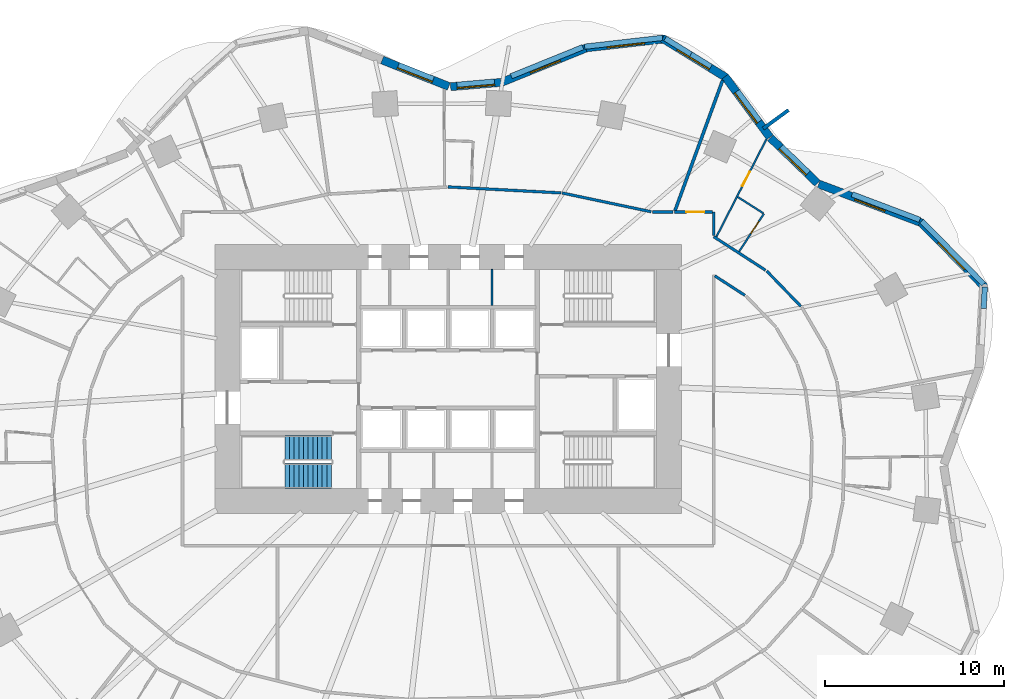
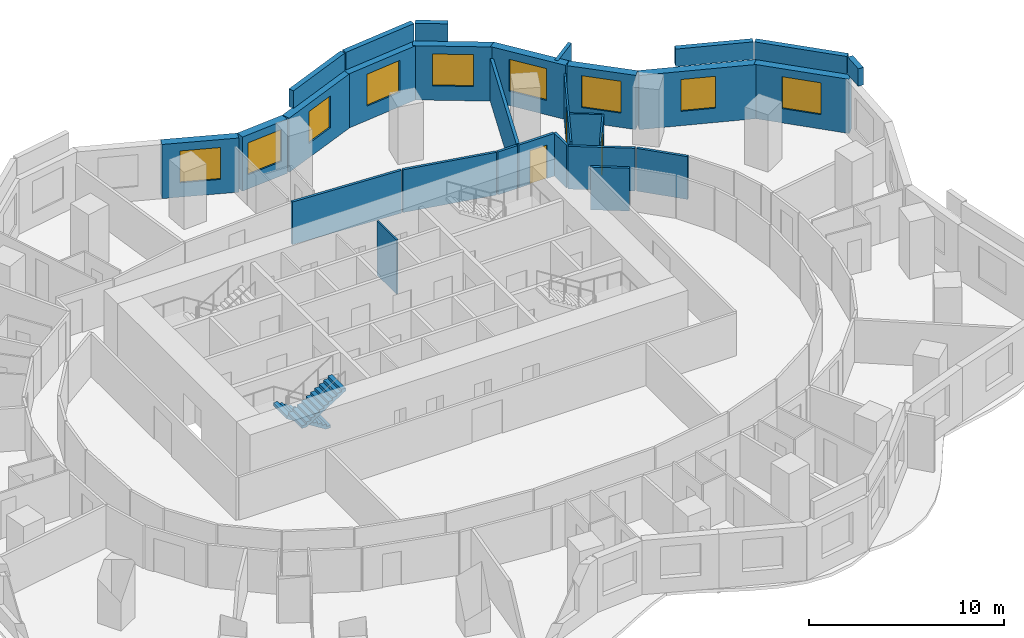
# One storey, part 9 of 11: 29 walls, 9 windows, 3 doors, 2 stair flights, 12 openings, 1 element without a shape of its own.
"""IFC4 building model written with IfcOpenShell, lengths in metres."""

from ifc_helpers import new_model, si_unit, direction, frame, frame_2d, origin, place, context, subcontext, project, spatial, polyline, rectangle, outline, extrude, material, layer, layer_set, type_object, element, fill, aggregate, save


model = new_model("IFC4")

# Units and contexts
model_context = context("Model", 3, precision=1e-05, world=origin(), true_north=direction((0.0, 1.0)))
body_context = subcontext(model_context, "Body", "Model", "MODEL_VIEW")
ifc_project = project(units=[si_unit("LENGTHUNIT", "METRE"), si_unit("AREAUNIT", "SQUARE_METRE"), si_unit("VOLUMEUNIT", "CUBIC_METRE"), si_unit("PLANEANGLEUNIT", "RADIAN"), si_unit("MASSUNIT", "GRAM", prefix="KILO")], contexts=[model_context])

# Site, building, storey
site_placement = place(None, origin())
site = spatial("IfcSite", under=ifc_project, at=site_placement, CompositionType="ELEMENT")
building_placement = place(site_placement, origin())
building = spatial("IfcBuilding", under=site, at=building_placement, Name="Rubra Terraces Tower", CompositionType="ELEMENT")
storey_placement = place(building_placement, frame((0.0, 0.0, 51.89990234375)))
storey = spatial("IfcBuildingStorey", under=building, at=storey_placement, Name="L10", CompositionType="ELEMENT", Elevation=51.89990234375)

# Wall
ifc_material_1 = material(Name="Twin plasterboard on staggered steel stud, acoustic mineral wool", Category="steel")
ifc_layer_1 = layer(ifc_material_1, 0.175048828125)
ifc_layer_set_1 = layer_set([ifc_layer_1], Name="Twin plasterboard on staggered steel stud, acoustic mineral wool")
wall_type_1 = type_object("IfcWallType", Name="ACOUSTIC PARTY WALL 175", PredefinedType="PARTITIONING", material=ifc_layer_set_1)
wall_1_placement = place(storey_placement, frame((15.298583984375, 21.142822265625, 0.0), z_axis=(0.0, 0.0, 1.0), x_axis=(-0.343006226001, -0.939333129898, 0.0)))
element("IfcWall", 1, at=wall_1_placement, inside=storey, type_object=wall_type_1, Name="PARTITION", PredefinedType="PARTITIONING", context=body_context, shape_type="SweptSolid", body=[
    extrude(rectangle(XDim=7.741943359375, YDim=0.175048828125, at=frame_2d((3.87109375, 0.0))), origin(), (0.0, 0.0, 1.0), 2.68017578125),
])

# Wall, opening, window
ifc_material_2 = material(Name="Brick masonry red-brown", Category="masonry")
ifc_layer_2 = layer(ifc_material_2, 0.449951171875)
ifc_layer_set_2 = layer_set([ifc_layer_2], Name="Brick masonry red-brown")
wall_type_2 = type_object("IfcWallType", Name="Brick facade wall 450", PredefinedType="SOLIDWALL", material=ifc_layer_set_2)
wall_2_placement = place(storey_placement, frame((29.909423828125, 9.6123046875, 0.0), z_axis=(0.0, 0.0, 1.0), x_axis=(-0.700902433902, 0.713257161303, 0.0)))
wall_2 = element("IfcWall", 2, at=wall_2_placement, inside=storey, type_object=wall_type_2, Name="Facade wall L10 bay 3", PredefinedType="SOLIDWALL", context=body_context, shape_type="SweptSolid", body=[
    extrude(rectangle(XDim=5.07861328125, YDim=0.449951171875, at=frame_2d((2.539306640625, 0.0))), origin(), (0.0, 0.0, 1.0), 3.400146484375),
])
opening_1_placement = place(wall_2_placement, frame((1.4892578125, 0.0, 0.89990234375)))
opening_1 = element("IfcOpeningElement", 3, at=opening_1_placement, cuts=wall_2, Name="Opening W1", PredefinedType="OPENING", context=body_context, shape_type="SweptSolid", body=[
    extrude(rectangle(XDim=2.10009765625, YDim=2.0, at=frame_2d((1.050048828125, 1.0))), frame((0.0, 0.23486328125, 0.0), z_axis=(0.0, -1.0, 0.0), x_axis=(1.0, 0.0, 0.0)), (0.0, 0.0, 1.0), 0.469970703125),
])
ifc_material_3 = material(Name="Clear glass in aluminium frame", Category="aluminium")
window_type_1 = type_object("IfcWindowType", Name="Fixed deep-set window 2100 x 2000", PartitioningType="SINGLE_PANEL", PredefinedType="WINDOW", material=ifc_material_3)
window_1_placement = place(opening_1_placement, origin())
window_1 = element("IfcWindow", 4, at=window_1_placement, inside=storey, type_object=window_type_1, Name="Window L10 bay 3", OverallHeight=2.0, OverallWidth=2.10009765625, PartitioningType="SINGLE_PANEL", PredefinedType="WINDOW", context=body_context, shape_type="SweptSolid", body=[
    extrude(rectangle(XDim=2.10009765625, YDim=2.0, at=frame_2d((1.050048828125, 1.0))), frame((0.0, 0.135009765625, 0.0), z_axis=(0.0, -1.0, 0.0), x_axis=(1.0, 0.0, 0.0)), (0.0, 0.0, 1.0), 0.06005859375),
])
fill(opening_1, window_1)

wall_3_placement = place(storey_placement, frame((26.430908203125, 13.181884765625, 0.0), z_axis=(0.0, 0.0, 1.0), x_axis=(-0.935540074321, 0.35322056755, 0.0)))
wall_3 = element("IfcWall", 5, at=wall_3_placement, inside=storey, type_object=wall_type_2, Name="Facade wall L10 bay 4", PredefinedType="SOLIDWALL", context=body_context, shape_type="SweptSolid", body=[
    extrude(rectangle(XDim=6.17236328125, YDim=0.449951171875, at=frame_2d((3.086181640625, 0.0))), origin(), (0.0, 0.0, 1.0), 3.400146484375),
])
opening_2_placement = place(wall_3_placement, frame((2.18603515625, 0.0, 0.89990234375)))
opening_2 = element("IfcOpeningElement", 6, at=opening_2_placement, cuts=wall_3, Name="Opening W6", PredefinedType="OPENING", context=body_context, shape_type="SweptSolid", body=[
    extrude(rectangle(XDim=1.800048828125, YDim=2.0, at=frame_2d((0.89990234375, 1.0))), frame((0.0, 0.23486328125, 0.0), z_axis=(0.0, -1.0, 0.0), x_axis=(1.0, 0.0, 0.0)), (0.0, 0.0, 1.0), 0.469970703125),
])
window_type_2 = type_object("IfcWindowType", Name="Fixed deep-set window at wind fin 1800 x 2000", PartitioningType="SINGLE_PANEL", PredefinedType="WINDOW", material=ifc_material_3)
window_2_placement = place(opening_2_placement, origin())
window_2 = element("IfcWindow", 7, at=window_2_placement, inside=storey, type_object=window_type_2, Name="Window L10 bay 4", OverallHeight=2.0, OverallWidth=1.800048828125, PartitioningType="SINGLE_PANEL", PredefinedType="WINDOW", context=body_context, shape_type="SweptSolid", body=[
    extrude(rectangle(XDim=1.800048828125, YDim=2.0, at=frame_2d((0.89990234375, 1.0))), frame((0.0, 0.135009765625, 0.0), z_axis=(0.0, -1.0, 0.0), x_axis=(1.0, 0.0, 0.0)), (0.0, 0.0, 1.0), 0.06005859375),
])
fill(opening_2, window_2)

wall_4_placement = place(storey_placement, frame((20.585205078125, 15.40576171875, 0.0), z_axis=(0.0, 0.0, 1.0), x_axis=(-0.719978118026, 0.693996764808, 0.0)))
wall_4 = element("IfcWall", 8, at=wall_4_placement, inside=storey, type_object=wall_type_2, Name="Facade wall L10 bay 5", PredefinedType="SOLIDWALL", context=body_context, shape_type="SweptSolid", body=[
    extrude(rectangle(XDim=3.64599609375, YDim=0.449951171875, at=frame_2d((1.822998046875, 0.0))), origin(), (0.0, 0.0, 1.0), 3.400146484375),
])
opening_3_placement = place(wall_4_placement, frame((0.77294921875, 0.0, 0.89990234375)))
opening_3 = element("IfcOpeningElement", 9, at=opening_3_placement, cuts=wall_4, Name="Opening W1", PredefinedType="OPENING", context=body_context, shape_type="SweptSolid", body=[
    extrude(rectangle(XDim=2.10009765625, YDim=2.0, at=frame_2d((1.050048828125, 1.0))), frame((0.0, 0.23486328125, 0.0), z_axis=(0.0, -1.0, 0.0), x_axis=(1.0, 0.0, 0.0)), (0.0, 0.0, 1.0), 0.469970703125),
])
window_3_placement = place(opening_3_placement, origin())
window_3 = element("IfcWindow", 10, at=window_3_placement, inside=storey, type_object=window_type_1, Name="Window L10 bay 5", OverallHeight=2.0, OverallWidth=2.10009765625, PartitioningType="SINGLE_PANEL", PredefinedType="WINDOW", context=body_context, shape_type="SweptSolid", body=[
    extrude(rectangle(XDim=2.10009765625, YDim=2.0, at=frame_2d((1.050048828125, 1.0))), frame((0.0, 0.135009765625, 0.0), z_axis=(0.0, -1.0, 0.0), x_axis=(1.0, 0.0, 0.0)), (0.0, 0.0, 1.0), 0.06005859375),
])
fill(opening_3, window_3)

wall_5_placement = place(storey_placement, frame((17.933837890625, 17.964111328125, 0.0), z_axis=(0.0, 0.0, 1.0), x_axis=(-0.594544447368, 0.804062746372, 0.0)))
wall_5 = element("IfcWall", 11, at=wall_5_placement, inside=storey, type_object=wall_type_2, Name="Facade wall L10 bay 6", PredefinedType="SOLIDWALL", context=body_context, shape_type="SweptSolid", body=[
    extrude(rectangle(XDim=4.20654296875, YDim=0.449951171875, at=frame_2d((2.103271484375, 0.0))), origin(), (0.0, 0.0, 1.0), 3.400146484375),
])
opening_4_placement = place(wall_5_placement, frame((1.05322265625, 0.0, 0.89990234375)))
opening_4 = element("IfcOpeningElement", 12, at=opening_4_placement, cuts=wall_5, Name="Opening W1", PredefinedType="OPENING", context=body_context, shape_type="SweptSolid", body=[
    extrude(rectangle(XDim=2.10009765625, YDim=2.0, at=frame_2d((1.050048828125, 1.0))), frame((0.0, 0.23486328125, 0.0), z_axis=(0.0, -1.0, 0.0), x_axis=(1.0, 0.0, 0.0)), (0.0, 0.0, 1.0), 0.469970703125),
])
window_4_placement = place(opening_4_placement, origin())
window_4 = element("IfcWindow", 13, at=window_4_placement, inside=storey, type_object=window_type_1, Name="Window L10 bay 6", OverallHeight=2.0, OverallWidth=2.10009765625, PartitioningType="SINGLE_PANEL", PredefinedType="WINDOW", context=body_context, shape_type="SweptSolid", body=[
    extrude(rectangle(XDim=2.10009765625, YDim=2.0, at=frame_2d((1.050048828125, 1.0))), frame((0.0, 0.135009765625, 0.0), z_axis=(0.0, -1.0, 0.0), x_axis=(1.0, 0.0, 0.0)), (0.0, 0.0, 1.0), 0.06005859375),
])
fill(opening_4, window_4)

wall_6_placement = place(storey_placement, frame((15.491943359375, 21.29345703125, 0.0), z_axis=(0.0, 0.0, 1.0), x_axis=(-0.851428967753, 0.524469935145, 0.0)))
wall_6 = element("IfcWall", 14, at=wall_6_placement, inside=storey, type_object=wall_type_2, Name="Facade wall L10 bay 7", PredefinedType="SOLIDWALL", context=body_context, shape_type="SweptSolid", body=[
    extrude(rectangle(XDim=4.16796875, YDim=0.449951171875, at=frame_2d((2.083984375, 0.0))), origin(), (0.0, 0.0, 1.0), 3.400146484375),
])
opening_5_placement = place(wall_6_placement, frame((1.0341796875, 0.0, 0.89990234375)))
opening_5 = element("IfcOpeningElement", 15, at=opening_5_placement, cuts=wall_6, Name="Opening W1", PredefinedType="OPENING", context=body_context, shape_type="SweptSolid", body=[
    extrude(rectangle(XDim=2.10009765625, YDim=2.0, at=frame_2d((1.050048828125, 1.0))), frame((0.0, 0.23486328125, 0.0), z_axis=(0.0, -1.0, 0.0), x_axis=(1.0, 0.0, 0.0)), (0.0, 0.0, 1.0), 0.469970703125),
])
window_5_placement = place(opening_5_placement, origin())
window_5 = element("IfcWindow", 16, at=window_5_placement, inside=storey, type_object=window_type_1, Name="Window L10 bay 7", OverallHeight=2.0, OverallWidth=2.10009765625, PartitioningType="SINGLE_PANEL", PredefinedType="WINDOW", context=body_context, shape_type="SweptSolid", body=[
    extrude(rectangle(XDim=2.10009765625, YDim=2.0, at=frame_2d((1.050048828125, 1.0))), frame((0.0, 0.135009765625, 0.0), z_axis=(0.0, -1.0, 0.0), x_axis=(1.0, 0.0, 0.0)), (0.0, 0.0, 1.0), 0.06005859375),
])
fill(opening_5, window_5)

wall_7_placement = place(storey_placement, frame((12.08642578125, 23.447509765625, 0.0), z_axis=(0.0, 0.0, 1.0), x_axis=(-0.993615664665, -0.112818043472, 0.0)))
wall_7 = element("IfcWall", 17, at=wall_7_placement, inside=storey, type_object=wall_type_2, Name="Facade wall L10 bay 8", PredefinedType="SOLIDWALL", context=body_context, shape_type="SweptSolid", body=[
    extrude(rectangle(XDim=4.42333984375, YDim=0.449951171875, at=frame_2d((2.211669921875, 0.0))), origin(), (0.0, 0.0, 1.0), 3.400146484375),
])
opening_6_placement = place(wall_7_placement, frame((1.16162109375, 0.0, 0.89990234375)))
opening_6 = element("IfcOpeningElement", 18, at=opening_6_placement, cuts=wall_7, Name="Opening W1", PredefinedType="OPENING", context=body_context, shape_type="SweptSolid", body=[
    extrude(rectangle(XDim=2.10009765625, YDim=2.0, at=frame_2d((1.050048828125, 1.0))), frame((0.0, 0.23486328125, 0.0), z_axis=(0.0, -1.0, 0.0), x_axis=(1.0, 0.0, 0.0)), (0.0, 0.0, 1.0), 0.469970703125),
])
window_6_placement = place(opening_6_placement, origin())
window_6 = element("IfcWindow", 19, at=window_6_placement, inside=storey, type_object=window_type_1, Name="Window L10 bay 8", OverallHeight=2.0, OverallWidth=2.10009765625, PartitioningType="SINGLE_PANEL", PredefinedType="WINDOW", context=body_context, shape_type="SweptSolid", body=[
    extrude(rectangle(XDim=2.10009765625, YDim=2.0, at=frame_2d((1.050048828125, 1.0))), frame((0.0, 0.135009765625, 0.0), z_axis=(0.0, -1.0, 0.0), x_axis=(1.0, 0.0, 0.0)), (0.0, 0.0, 1.0), 0.06005859375),
])
fill(opening_6, window_6)

wall_8_placement = place(storey_placement, frame((7.75048828125, 22.963623046875, 0.0), z_axis=(0.0, 0.0, 1.0), x_axis=(-0.926629703254, -0.375975255897, 0.0)))
wall_8 = element("IfcWall", 20, at=wall_8_placement, inside=storey, type_object=wall_type_2, Name="Facade wall L10 bay 9", PredefinedType="SOLIDWALL", context=body_context, shape_type="SweptSolid", body=[
    extrude(rectangle(XDim=5.1181640625, YDim=0.449951171875, at=frame_2d((2.55908203125, 0.0))), origin(), (0.0, 0.0, 1.0), 3.400146484375),
])
opening_7_placement = place(wall_8_placement, frame((1.6591796875, 0.0, 0.89990234375)))
opening_7 = element("IfcOpeningElement", 21, at=opening_7_placement, cuts=wall_8, Name="Opening W6", PredefinedType="OPENING", context=body_context, shape_type="SweptSolid", body=[
    extrude(rectangle(XDim=1.800048828125, YDim=2.0, at=frame_2d((0.89990234375, 1.0))), frame((0.0, 0.23486328125, 0.0), z_axis=(0.0, -1.0, 0.0), x_axis=(1.0, 0.0, 0.0)), (0.0, 0.0, 1.0), 0.469970703125),
])
window_7_placement = place(opening_7_placement, origin())
window_7 = element("IfcWindow", 22, at=window_7_placement, inside=storey, type_object=window_type_2, Name="Window L10 bay 9", OverallHeight=2.0, OverallWidth=1.800048828125, PartitioningType="SINGLE_PANEL", PredefinedType="WINDOW", context=body_context, shape_type="SweptSolid", body=[
    extrude(rectangle(XDim=1.800048828125, YDim=2.0, at=frame_2d((0.89990234375, 1.0))), frame((0.0, 0.135009765625, 0.0), z_axis=(0.0, -1.0, 0.0), x_axis=(1.0, 0.0, 0.0)), (0.0, 0.0, 1.0), 0.06005859375),
])
fill(opening_7, window_7)

wall_9_placement = place(storey_placement, frame((2.942138671875, 21.023681640625, 0.0), z_axis=(0.0, 0.0, 1.0), x_axis=(-0.996362034459, -0.085221454389, 0.0)))
wall_9 = element("IfcWall", 23, at=wall_9_placement, inside=storey, type_object=wall_type_2, Name="Facade wall L10 bay 10", PredefinedType="SOLIDWALL", context=body_context, shape_type="SweptSolid", body=[
    extrude(rectangle(XDim=2.813232421875, YDim=0.449951171875, at=frame_2d((1.40673828125, 0.0))), origin(), (0.0, 0.0, 1.0), 3.400146484375),
])
opening_8_placement = place(wall_9_placement, frame((0.356689453125, 0.0, 0.89990234375)))
opening_8 = element("IfcOpeningElement", 24, at=opening_8_placement, cuts=wall_9, Name="Opening W1", PredefinedType="OPENING", context=body_context, shape_type="SweptSolid", body=[
    extrude(rectangle(XDim=2.10009765625, YDim=2.0, at=frame_2d((1.050048828125, 1.0))), frame((0.0, 0.23486328125, 0.0), z_axis=(0.0, -1.0, 0.0), x_axis=(1.0, 0.0, 0.0)), (0.0, 0.0, 1.0), 0.469970703125),
])
window_8_placement = place(opening_8_placement, origin())
window_8 = element("IfcWindow", 25, at=window_8_placement, inside=storey, type_object=window_type_1, Name="Window L10 bay 10", OverallHeight=2.0, OverallWidth=2.10009765625, PartitioningType="SINGLE_PANEL", PredefinedType="WINDOW", context=body_context, shape_type="SweptSolid", body=[
    extrude(rectangle(XDim=2.10009765625, YDim=2.0, at=frame_2d((1.050048828125, 1.0))), frame((0.0, 0.135009765625, 0.0), z_axis=(0.0, -1.0, 0.0), x_axis=(1.0, 0.0, 0.0)), (0.0, 0.0, 1.0), 0.06005859375),
])
fill(opening_8, window_8)

wall_10_placement = place(storey_placement, frame((0.04052734375, 20.797607421875, 0.0), z_axis=(0.0, 0.0, 1.0), x_axis=(-0.929539262027, 0.368723148649, 0.0)))
wall_10 = element("IfcWall", 26, at=wall_10_placement, inside=storey, type_object=wall_type_2, Name="Facade wall L10 bay 11", PredefinedType="SOLIDWALL", context=body_context, shape_type="SweptSolid", body=[
    extrude(rectangle(XDim=3.99462890625, YDim=0.449951171875, at=frame_2d((1.997314453125, 0.0))), origin(), (0.0, 0.0, 1.0), 3.400146484375),
])
opening_9_placement = place(wall_10_placement, frame((0.947265625, 0.0, 0.89990234375)))
opening_9 = element("IfcOpeningElement", 27, at=opening_9_placement, cuts=wall_10, Name="Opening W1", PredefinedType="OPENING", context=body_context, shape_type="SweptSolid", body=[
    extrude(rectangle(XDim=2.10009765625, YDim=2.0, at=frame_2d((1.050048828125, 1.0))), frame((0.0, 0.23486328125, 0.0), z_axis=(0.0, -1.0, 0.0), x_axis=(1.0, 0.0, 0.0)), (0.0, 0.0, 1.0), 0.469970703125),
])
window_9_placement = place(opening_9_placement, origin())
window_9 = element("IfcWindow", 28, at=window_9_placement, inside=storey, type_object=window_type_1, Name="Window L10 bay 11", OverallHeight=2.0, OverallWidth=2.10009765625, PartitioningType="SINGLE_PANEL", PredefinedType="WINDOW", context=body_context, shape_type="SweptSolid", body=[
    extrude(rectangle(XDim=2.10009765625, YDim=2.0, at=frame_2d((1.050048828125, 1.0))), frame((0.0, 0.135009765625, 0.0), z_axis=(0.0, -1.0, 0.0), x_axis=(1.0, 0.0, 0.0)), (0.0, 0.0, 1.0), 0.06005859375),
])
fill(opening_9, window_9)

# Walls
ifc_layer_3 = layer(ifc_material_2, 0.300048828125)
ifc_layer_set_3 = layer_set([ifc_layer_3], Name="Brick masonry red-brown")
wall_type_3 = type_object("IfcWallType", Name="Brick parapet 300", PredefinedType="PARAPET", material=ifc_layer_set_3)
wall_11_placement = place(storey_placement, frame((29.845947265625, 8.422119140625, 3.60009765625), z_axis=(0.0, 0.0, 1.0), x_axis=(0.054723601839, 0.998501541011, 0.0)))
element("IfcWall", 29, at=wall_11_placement, inside=storey, type_object=wall_type_3, Name="Parapet L10 bay 2", PredefinedType="PARAPET", context=body_context, shape_type="SweptSolid", body=[
    extrude(rectangle(XDim=1.195556640625, YDim=0.300048828125, at=frame_2d((0.59765625, 0.0))), origin(), (0.0, 0.0, 1.0), 1.10009765625),
])
wall_12_placement = place(storey_placement, frame((29.84912109375, 9.78076171875, 3.60009765625), z_axis=(0.0, 0.0, 1.0), x_axis=(-0.700911537772, 0.713248215012, 0.0)))
element("IfcWall", 30, at=wall_12_placement, inside=storey, type_object=wall_type_3, Name="Parapet L10 bay 3", PredefinedType="PARAPET", context=body_context, shape_type="SweptSolid", body=[
    extrude(rectangle(XDim=4.927734375, YDim=0.300048828125, at=frame_2d((2.4638671875, 0.0))), origin(), (0.0, 0.0, 1.0), 1.10009765625),
])
wall_13_placement = place(storey_placement, frame((26.292236328125, 13.362548828125, 3.60009765625), z_axis=(0.0, 0.0, 1.0), x_axis=(-0.93551777481, 0.353279624397, 0.0)))
element("IfcWall", 31, at=wall_13_placement, inside=storey, type_object=wall_type_3, Name="Parapet L10 bay 4", PredefinedType="PARAPET", context=body_context, shape_type="SweptSolid", body=[
    extrude(rectangle(XDim=4.04345703125, YDim=0.300048828125, at=frame_2d((2.021728515625, 0.0))), origin(), (0.0, 0.0, 1.0), 1.10009765625),
])
wall_14_placement = place(storey_placement, frame((13.52978515625, 22.590087890625, 3.60009765625), z_axis=(0.0, 0.0, 1.0), x_axis=(-0.851434206084, 0.524461431098, 0.0)))
element("IfcWall", 32, at=wall_14_placement, inside=storey, type_object=wall_type_3, Name="Parapet L10 bay 7", PredefinedType="PARAPET", context=body_context, shape_type="SweptSolid", body=[
    extrude(rectangle(XDim=1.683837890625, YDim=0.300048828125, at=frame_2d((0.841796875, 0.0))), origin(), (0.0, 0.0, 1.0), 1.10009765625),
])
wall_15_placement = place(storey_placement, frame((11.9453125, 23.5068359375, 3.60009765625), z_axis=(0.0, 0.0, 1.0), x_axis=(-0.993618806168, -0.11279037206, 0.0)))
element("IfcWall", 33, at=wall_15_placement, inside=storey, type_object=wall_type_3, Name="Parapet L10 bay 8", PredefinedType="PARAPET", context=body_context, shape_type="SweptSolid", body=[
    extrude(rectangle(XDim=4.361572265625, YDim=0.300048828125, at=frame_2d((2.1806640625, 0.0))), origin(), (0.0, 0.0, 1.0), 1.10009765625),
])
wall_16_placement = place(storey_placement, frame((7.514404296875, 22.990234375, 3.60009765625), z_axis=(0.0, 0.0, 1.0), x_axis=(-0.926627413994, -0.375980897966, 0.0)))
element("IfcWall", 34, at=wall_16_placement, inside=storey, type_object=wall_type_3, Name="Parapet L10 bay 9", PredefinedType="PARAPET", context=body_context, shape_type="SweptSolid", body=[
    extrude(rectangle(XDim=4.31494140625, YDim=0.300048828125, at=frame_2d((2.157470703125, 0.0))), origin(), (0.0, 0.0, 1.0), 1.10009765625),
])
ifc_layer_4 = layer(ifc_material_2, 0.199951171875)
ifc_layer_set_4 = layer_set([ifc_layer_4], Name="Brick masonry red-brown")
wall_type_4 = type_object("IfcWallType", Name="Brick wind fin 200", PredefinedType="SOLIDWALL", material=ifc_layer_set_4)
wall_17_placement = place(storey_placement, frame((17.56005859375, 18.449951171875, 0.0), z_axis=(0.0, 0.0, 1.0), x_axis=(0.807091943364, 0.590425774299, 0.0)))
element("IfcWall", 35, at=wall_17_placement, inside=storey, type_object=wall_type_4, Name="Wind fin L10 4", PredefinedType="SOLIDWALL", context=body_context, shape_type="SweptSolid", body=[
    extrude(rectangle(XDim=1.75, YDim=0.199951171875, at=frame_2d((0.875, 0.0))), origin(), (0.0, 0.0, 1.0), 3.400146484375),
])
ifc_material_4 = material(Name="Plasterboard on steel stud, mineral wool infill", Category="steel")
ifc_layer_5 = layer(ifc_material_4, 0.14990234375)
ifc_layer_set_5 = layer_set([ifc_layer_5], Name="Plasterboard on steel stud, mineral wool infill")
wall_type_5 = type_object("IfcWallType", Name="CORRIDOR PARTITION 150", PredefinedType="PARTITIONING", material=ifc_layer_set_5)
wall_18_placement = place(storey_placement, frame((19.662841796875, 8.5419921875, 0.0), z_axis=(0.0, 0.0, 1.0), x_axis=(-0.695225869021, 0.718791340407, 0.0)))
element("IfcWall", 36, at=wall_18_placement, inside=storey, type_object=wall_type_5, Name="PARTITION", PredefinedType="PARTITIONING", context=body_context, shape_type="SweptSolid", body=[
    extrude(rectangle(XDim=2.745361328125, YDim=0.14990234375, at=frame_2d((1.37255859375, 0.0))), origin(), (0.0, 0.0, 1.0), 2.68017578125),
])
wall_19_placement = place(storey_placement, frame((17.691162109375, 10.55615234375, 0.0), z_axis=(0.0, 0.0, 1.0), x_axis=(-0.839564450265, 0.54326009779, 0.0)))
element("IfcWall", 37, at=wall_19_placement, inside=storey, type_object=wall_type_5, Name="PARTITION", PredefinedType="PARTITIONING", context=body_context, shape_type="SweptSolid", body=[
    extrude(rectangle(XDim=3.443359375, YDim=0.14990234375, at=frame_2d((1.7216796875, 0.0))), origin(), (0.0, 0.0, 1.0), 2.68017578125),
])
wall_20_placement = place(storey_placement, frame((14.80029296875, 12.501708984375, 0.0), z_axis=(0.0, 0.0, 1.0), x_axis=(-0.000188040613, 0.99999998232, 0.0)))
element("IfcWall", 38, at=wall_20_placement, inside=storey, type_object=wall_type_5, Name="PARTITION", PredefinedType="PARTITIONING", context=body_context, shape_type="SweptSolid", body=[
    extrude(rectangle(XDim=1.29833984375, YDim=0.14990234375, at=frame_2d((0.649169921875, 0.0))), origin(), (0.0, 0.0, 1.0), 2.68017578125),
])

# Wall, opening, door
wall_21_placement = place(storey_placement, frame((14.72509765625, 13.800048828125, 0.0), z_axis=(0.0, 0.0, 1.0), x_axis=(-1.0, 0.0, 0.0)))
wall_21 = element("IfcWall", 39, at=wall_21_placement, inside=storey, type_object=wall_type_5, Name="PARTITION", PredefinedType="PARTITIONING", context=body_context, shape_type="SweptSolid", body=[
    extrude(rectangle(XDim=2.10791015625, YDim=0.14990234375, at=frame_2d((1.053955078125, 0.0))), origin(), (0.0, 0.0, 1.0), 2.68017578125),
])
opening_10_placement = place(wall_21_placement, frame((0.449951171875, 0.0, 0.0)))
opening_10 = element("IfcOpeningElement", 40, at=opening_10_placement, cuts=wall_21, Name="Opening 10-131", PredefinedType="OPENING", context=body_context, shape_type="SweptSolid", body=[
    extrude(rectangle(XDim=1.0, YDim=2.10009765625, at=frame_2d((0.5, 1.050048828125))), frame((0.0, 0.0849609375, 0.0), z_axis=(0.0, -1.0, 0.0), x_axis=(1.0, 0.0, 0.0)), (0.0, 0.0, 1.0), 0.169921875),
])
ifc_material_5 = material(Name="Painted timber door leaf", Category="wood")
door_type_1 = type_object("IfcDoorType", Name="ROOM DOOR 1000 X 2100", OperationType="SINGLE_SWING_LEFT", PredefinedType="DOOR", material=ifc_material_5)
door_1_placement = place(opening_10_placement, origin())
door_1 = element("IfcDoor", 41, at=door_1_placement, inside=storey, type_object=door_type_1, Name="DOOR 10-131", OperationType="SINGLE_SWING_RIGHT", OverallHeight=2.10009765625, OverallWidth=1.0, PredefinedType="DOOR", context=body_context, shape_type="SweptSolid", body=[
    extrude(rectangle(XDim=1.0, YDim=2.10009765625, at=frame_2d((0.5, 1.050048828125))), frame((0.0, 0.02490234375, 0.0), z_axis=(0.0, -1.0, 0.0), x_axis=(1.0, 0.0, 0.0)), (0.0, 0.0, 1.0), 0.050048828125),
])
fill(opening_10, door_1)

# Walls
wall_22_placement = place(storey_placement, frame((12.542236328125, 13.800048828125, 0.0), z_axis=(0.0, 0.0, 1.0), x_axis=(-1.0, 0.0, 0.0)))
element("IfcWall", 42, at=wall_22_placement, inside=storey, type_object=wall_type_5, Name="PARTITION", PredefinedType="PARTITIONING", context=body_context, shape_type="SweptSolid", body=[
    extrude(rectangle(XDim=1.15283203125, YDim=0.14990234375, at=frame_2d((0.576416015625, 0.0))), origin(), (0.0, 0.0, 1.0), 2.68017578125),
])
wall_23_placement = place(storey_placement, frame((11.31591796875, 13.8154296875, 0.0), z_axis=(0.0, 0.0, 1.0), x_axis=(-0.978460774853, 0.206432827025, 0.0)))
element("IfcWall", 43, at=wall_23_placement, inside=storey, type_object=wall_type_5, Name="PARTITION", PredefinedType="PARTITIONING", context=body_context, shape_type="SweptSolid", body=[
    extrude(rectangle(XDim=5.06884765625, YDim=0.14990234375, at=frame_2d((2.534423828125, 0.0))), origin(), (0.0, 0.0, 1.0), 2.68017578125),
])
wall_24_placement = place(storey_placement, frame((6.281494140625, 14.86572265625, 0.0), z_axis=(0.0, 0.0, 1.0), x_axis=(-0.998587429539, 0.053133281163, 0.0)))
element("IfcWall", 44, at=wall_24_placement, inside=storey, type_object=wall_type_5, Name="PARTITION", PredefinedType="PARTITIONING", context=body_context, shape_type="SweptSolid", body=[
    extrude(rectangle(XDim=6.290283203125, YDim=0.14990234375, at=frame_2d((3.14501953125, 0.0))), origin(), (0.0, 0.0, 1.0), 2.68017578125),
])
wall_25_placement = place(storey_placement, frame((14.863037109375, 10.242431640625, 0.0), z_axis=(0.0, 0.0, 1.0), x_axis=(0.839530811724, -0.543312079901, 0.0)))
element("IfcWall", 45, at=wall_25_placement, inside=storey, type_object=wall_type_5, Name="PARTITION", PredefinedType="PARTITIONING", context=body_context, shape_type="SweptSolid", body=[
    extrude(rectangle(XDim=1.997802734375, YDim=0.14990234375, at=frame_2d((0.9990234375, 0.0))), origin(), (0.0, 0.0, 1.0), 2.68017578125),
])

# Wall, opening, door
ifc_material_6 = material(Name="Plasterboard on steel stud", Category="steel")
ifc_layer_6 = layer(ifc_material_6, 0.10009765625)
ifc_layer_set_6 = layer_set([ifc_layer_6], Name="Plasterboard on steel stud")
wall_type_6 = type_object("IfcWallType", Name="ROOM PARTITION 100", PredefinedType="PARTITIONING", material=ifc_layer_set_6)
wall_26_placement = place(storey_placement, frame((17.73583984375, 17.85400390625, 0.0), z_axis=(0.0, 0.0, 1.0), x_axis=(-0.455842659808, -0.890060374075, 0.0)))
wall_26 = element("IfcWall", 46, at=wall_26_placement, inside=storey, type_object=wall_type_6, Name="PARTITION", PredefinedType="PARTITIONING", context=body_context, shape_type="SweptSolid", body=[
    extrude(rectangle(XDim=6.107666015625, YDim=0.10009765625, at=frame_2d((3.0537109375, 0.0))), origin(), (0.0, 0.0, 1.0), 2.898193359375),
])
opening_11_placement = place(wall_26_placement, frame((2.032958984375, 0.0, 0.0)))
opening_11 = element("IfcOpeningElement", 47, at=opening_11_placement, cuts=wall_26, Name="Opening 10-130", PredefinedType="OPENING", context=body_context, shape_type="SweptSolid", body=[
    extrude(rectangle(XDim=0.89990234375, YDim=2.39990234375, at=frame_2d((0.449951171875, 1.199951171875))), frame((0.0, 0.06005859375, 0.0), z_axis=(0.0, -1.0, 0.0), x_axis=(1.0, 0.0, 0.0)), (0.0, 0.0, 1.0), 0.1201171875),
])
ifc_material_7 = material(Name="Veneered timber door leaf, fire-rated", Category="wood")
door_type_2 = type_object("IfcDoorType", Name="SUITE ENTRANCE DOOR 900 X 2400", OperationType="SINGLE_SWING_LEFT", PredefinedType="DOOR", material=ifc_material_7)
door_2_placement = place(opening_11_placement, origin())
door_2 = element("IfcDoor", 48, at=door_2_placement, inside=storey, type_object=door_type_2, Name="DOOR 10-130", OperationType="SINGLE_SWING_LEFT", OverallHeight=2.39990234375, OverallWidth=0.89990234375, PredefinedType="DOOR", context=body_context, shape_type="SweptSolid", body=[
    extrude(rectangle(XDim=0.89990234375, YDim=2.39990234375, at=frame_2d((0.449951171875, 1.199951171875))), frame((0.0, 0.02490234375, 0.0), z_axis=(0.0, -1.0, 0.0), x_axis=(1.0, 0.0, 0.0)), (0.0, 0.0, 1.0), 0.050048828125),
])
fill(opening_11, door_2)

wall_27_placement = place(storey_placement, frame((16.218017578125, 11.5986328125, 0.0), z_axis=(0.0, 0.0, 1.0), x_axis=(0.547988935577, 0.83648558056, 0.0)))
wall_27 = element("IfcWall", 49, at=wall_27_placement, inside=storey, type_object=wall_type_6, Name="PARTITION", PredefinedType="PARTITIONING", context=body_context, shape_type="SweptSolid", body=[
    extrude(rectangle(XDim=2.525146484375, YDim=0.10009765625, at=frame_2d((1.2626953125, 0.0))), origin(), (0.0, 0.0, 1.0), 2.898193359375),
])
opening_12_placement = place(wall_27_placement, frame((1.199951171875, 0.0, 0.0)))
opening_12 = element("IfcOpeningElement", 50, at=opening_12_placement, cuts=wall_27, Name="Opening 10-129", PredefinedType="OPENING", context=body_context, shape_type="SweptSolid", body=[
    extrude(rectangle(XDim=0.800048828125, YDim=2.10009765625, at=frame_2d((0.39990234375, 1.050048828125))), frame((0.0, 0.06005859375, 0.0), z_axis=(0.0, -1.0, 0.0), x_axis=(1.0, 0.0, 0.0)), (0.0, 0.0, 1.0), 0.1201171875),
])
door_type_3 = type_object("IfcDoorType", Name="BATHROOM DOOR 800 X 2100", OperationType="SINGLE_SWING_LEFT", PredefinedType="DOOR", material=ifc_material_5)
door_3_placement = place(opening_12_placement, origin())
door_3 = element("IfcDoor", 51, at=door_3_placement, inside=storey, type_object=door_type_3, Name="DOOR 10-129", OperationType="SINGLE_SWING_LEFT", OverallHeight=2.10009765625, OverallWidth=0.800048828125, PredefinedType="DOOR", context=body_context, shape_type="SweptSolid", body=[
    extrude(rectangle(XDim=0.800048828125, YDim=2.10009765625, at=frame_2d((0.39990234375, 1.050048828125))), frame((0.0, 0.02490234375, 0.0), z_axis=(0.0, -1.0, 0.0), x_axis=(1.0, 0.0, 0.0)), (0.0, 0.0, 1.0), 0.050048828125),
])
fill(opening_12, door_3)

# Walls
wall_28_placement = place(storey_placement, frame((17.5595703125, 13.73779296875, 0.0), z_axis=(0.0, 0.0, 1.0), x_axis=(-0.843601529877, 0.536969700067, 0.0)))
element("IfcWall", 52, at=wall_28_placement, inside=storey, type_object=wall_type_6, Name="PARTITION", PredefinedType="PARTITIONING", context=body_context, shape_type="SweptSolid", body=[
    extrude(rectangle(XDim=1.6767578125, YDim=0.10009765625, at=frame_2d((0.83837890625, 0.0))), origin(), (0.0, 0.0, 1.0), 2.898193359375),
])
ifc_material_8 = material(Name="Blockwork", Category="masonry")
ifc_layer_7 = layer(ifc_material_8, 0.10009765625)
ifc_layer_set_7 = layer_set([ifc_layer_7], Name="Blockwork")
wall_type_7 = type_object("IfcWallType", Name="Service partition 100 blockwork", PredefinedType="PARTITIONING", material=ifc_layer_set_7)
wall_29_placement = place(storey_placement, frame((2.449951171875, 8.60009765625, 0.0), z_axis=(0.0, 0.0, 1.0), x_axis=(0.0, 1.0, 0.0)))
element("IfcWall", 53, at=wall_29_placement, inside=storey, type_object=wall_type_7, Name="SERVICE ROOM PARTITION L10", PredefinedType="PARTITIONING", context=body_context, shape_type="SweptSolid", body=[
    extrude(rectangle(XDim=2.0, YDim=0.10009765625, at=frame_2d((1.0, 0.0))), origin(), (0.0, 0.0, 1.0), 3.400146484375),
])

# Stair, stair flights
ifc_material_9 = material(Name="Concrete C40", Category="concrete")
stair_type = type_object("IfcStairType", Name="Core stair 1400", PredefinedType="HALF_TURN_STAIR", material=ifc_material_9)
stair_placement = place(storey_placement, origin())
stair = element("IfcStair", 54, at=stair_placement, inside=storey, type_object=stair_type, Name="L10 Exit stair S1", PredefinedType="HALF_TURN_STAIR")
stair_flight_type = type_object("IfcStairFlightType", Name="Core stair flight 1400", PredefinedType="STRAIGHT", material=ifc_material_9)
stair_flight_1_placement = place(storey_placement, frame((-6.5, 0.64990234375, 0.0), z_axis=(0.0, 0.0, 1.0), x_axis=(-1.0, 0.0, 0.0)))
stair_flight_1 = element("IfcStairFlight", 55, at=stair_flight_1_placement, type_object=stair_flight_type, Name="S1 flight 1", NumberOfRisers=11, NumberOfTreads=10, PredefinedType="STRAIGHT", RiserHeight=0.163636364, TreadLength=0.26, context=body_context, shape_type="SweptSolid", body=[
    extrude(outline(polyline([(0.0, 0.0), (0.0, 0.16357421875), (0.260009765625, 0.16357421875), (0.260009765625, 0.327392578125), (0.52001953125, 0.327392578125), (0.52001953125, 0.490966796875), (0.780029296875, 0.490966796875), (0.780029296875, 0.654541015625), (1.0400390625, 0.654541015625), (1.0400390625, 0.818115234375), (1.300048828125, 0.818115234375), (1.300048828125, 0.98193359375), (1.56005859375, 0.98193359375), (1.56005859375, 1.1455078125), (1.820068359375, 1.1455078125), (1.820068359375, 1.30908203125), (2.080078125, 1.30908203125), (2.080078125, 1.47265625), (2.340087890625, 1.47265625), (2.340087890625, 1.636474609375), (2.60009765625, 1.636474609375), (2.60009765625, 1.800048828125), (2.60009765625, 1.459228515625), (0.281494140625, 0.0), (0.0, 0.0)])), frame((0.0, 0.699951171875, 0.0), z_axis=(0.0, -1.0, 0.0), x_axis=(1.0, 0.0, 0.0)), (0.0, 0.0, 1.0), 1.39990234375),
])
stair_flight_2_placement = place(storey_placement, frame((-9.10009765625, -0.89990234375, 1.800048828125), z_axis=(0.0, 0.0, 1.0), x_axis=(1.0, 0.0, 0.0)))
stair_flight_2 = element("IfcStairFlight", 56, at=stair_flight_2_placement, type_object=stair_flight_type, Name="S1 flight 2", NumberOfRisers=11, NumberOfTreads=10, PredefinedType="STRAIGHT", RiserHeight=0.163636364, TreadLength=0.26, context=body_context, shape_type="SweptSolid", body=[
    extrude(outline(polyline([(0.0, 0.0), (0.0, 0.16357421875), (0.260009765625, 0.16357421875), (0.260009765625, 0.327392578125), (0.52001953125, 0.327392578125), (0.52001953125, 0.490966796875), (0.780029296875, 0.490966796875), (0.780029296875, 0.654541015625), (1.0400390625, 0.654541015625), (1.0400390625, 0.818115234375), (1.300048828125, 0.818115234375), (1.300048828125, 0.98193359375), (1.56005859375, 0.98193359375), (1.56005859375, 1.1455078125), (1.820068359375, 1.1455078125), (1.820068359375, 1.30908203125), (2.080078125, 1.30908203125), (2.080078125, 1.47265625), (2.340087890625, 1.47265625), (2.340087890625, 1.636474609375), (2.60009765625, 1.636474609375), (2.60009765625, 1.800048828125), (2.60009765625, 1.459228515625), (0.281494140625, 0.0), (0.0, 0.0)])), frame((0.0, 0.699951171875, 0.0), z_axis=(0.0, -1.0, 0.0), x_axis=(1.0, 0.0, 0.0)), (0.0, 0.0, 1.0), 1.39990234375),
])
aggregate(stair, [stair_flight_1, stair_flight_2])

save(model, "model.ifc")
